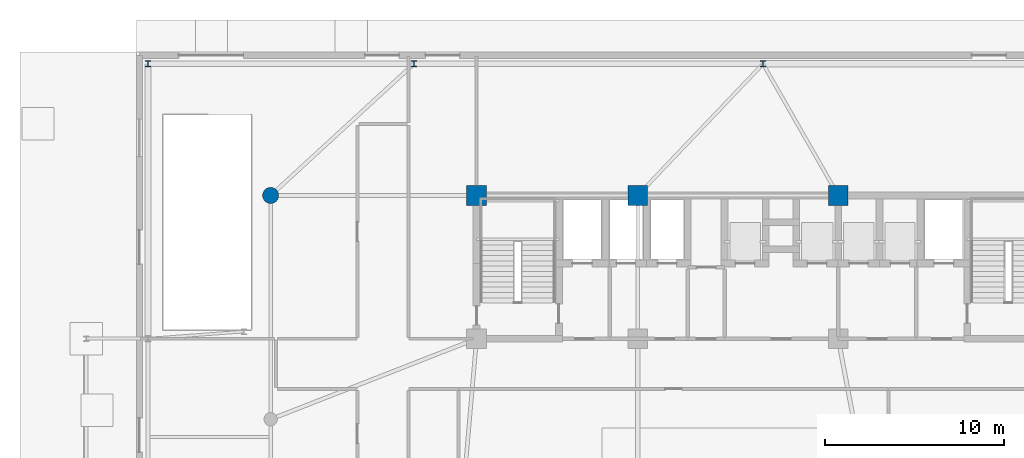
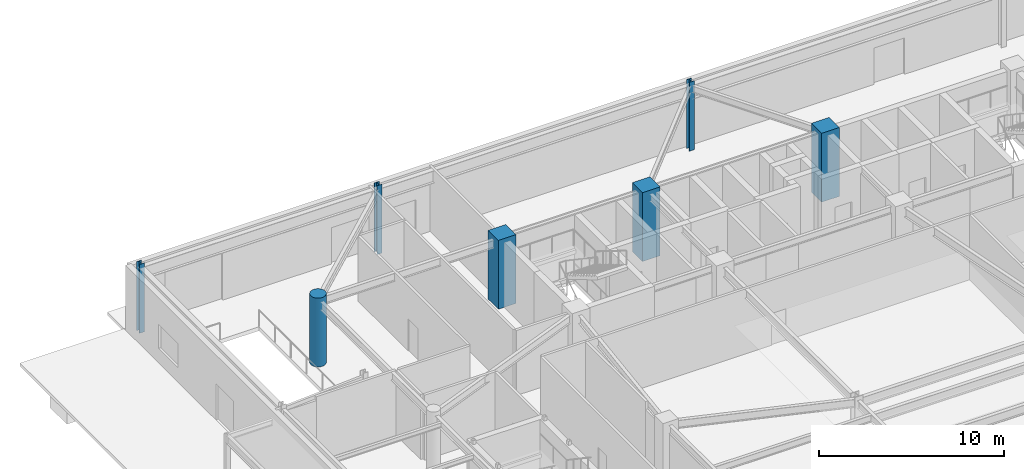
# One storey, part 5 of 29: 7 columns.
"""IFC4 building model written with IfcOpenShell, lengths in metres."""

from ifc_helpers import new_model, si_unit, direction, frame, origin, origin_2d, place, context, subcontext, project, spatial, rectangle, circle, i_section, extrude, source, transform, mapped, material, material_profile, profile_set, type_object, element, save


model = new_model("IFC4")

# Units and contexts
model_context = context("Model", 3, precision=1e-05, world=origin(), true_north=direction((0.0, 1.0)))
body_context = subcontext(model_context, "Body", "Model", "MODEL_VIEW")
ifc_project = project(units=[si_unit("LENGTHUNIT", "METRE"), si_unit("AREAUNIT", "SQUARE_METRE"), si_unit("VOLUMEUNIT", "CUBIC_METRE"), si_unit("PLANEANGLEUNIT", "RADIAN"), si_unit("MASSUNIT", "GRAM", prefix="KILO")], contexts=[model_context])

# Site, building, storey
site_placement = place(None, origin())
site = spatial("IfcSite", under=ifc_project, at=site_placement, CompositionType="ELEMENT")
building_placement = place(site_placement, origin())
building = spatial("IfcBuilding", under=site, at=building_placement, Name="Taldren Reach Tower", CompositionType="ELEMENT")
storey_placement = place(building_placement, origin())
storey = spatial("IfcBuildingStorey", under=building, at=storey_placement, Name="L00", CompositionType="ELEMENT", Elevation=0.0)

# Columns
ifc_material_1 = material(Name="Concrete S100 (100 MPa)", Category="concrete")
ifc_material_profile_1 = material_profile(ifc_material_1, rectangle(XDim=1.10009765625, YDim=1.10009765625, at=origin_2d()), Name="RC-1100x1100")
ifc_profile_set_1 = profile_set([ifc_material_profile_1], Name="Concrete S100 (100 MPa)")
column_type_1 = type_object("IfcColumnType", Name="COL-RC1100", PredefinedType="COLUMN", material=ifc_profile_set_1)
shared_shape_1 = source(origin(), body_context, "Body", "SweptSolid", [
    extrude(rectangle(XDim=1.10009765625, YDim=1.10009765625, at=origin_2d()), origin(), (0.0, 0.0, 1.0), 4.550048828125),
])
for number, where, z_axis, x_axis, name in (
    (1, (19.0, 32.0, 0.0), (0.0, 0.0, 1.0), (1.0, 0.0, 0.0), "Mega column MC-C5 L00"),
    (2, (28.0, 32.0, 0.0), (0.0, 0.0, 1.0), (1.0, 0.0, 0.0), "Mega column MC-C6 L00"),
    (3, (39.199951171875, 32.0, 0.0), (0.0, 0.0, 1.0), (1.0, 0.0, 0.0), "Mega column MC-C7 L00"),
):
    element("IfcColumn", number, at=place(storey_placement, frame(where, z_axis=z_axis, x_axis=x_axis)), inside=storey, type_object=column_type_1, Name=name, PredefinedType="COLUMN", context=body_context, shape_type="MappedRepresentation", body=[
        mapped(shared_shape_1, transform((0.0, 0.0, 0.0), scale=1.0)),
    ])
ifc_material_2 = material(Name="Concrete S80 (80 MPa)", Category="concrete")
ifc_material_profile_2 = material_profile(ifc_material_2, circle(Radius=0.449951171875, at=origin_2d()), Name="RC-900D")
ifc_profile_set_2 = profile_set([ifc_material_profile_2], Name="Concrete S80 (80 MPa)")
column_type_2 = type_object("IfcColumnType", Name="COL-RCD900", PredefinedType="COLUMN", material=ifc_profile_set_2)
shared_shape_2 = source(origin(), body_context, "Body", "SweptSolid", [
    extrude(circle(Radius=0.449951171875, at=origin_2d()), origin(), (0.0, 0.0, 1.0), 4.550048828125),
])
column_placement = place(storey_placement, frame((7.5, 32.0, 0.0), z_axis=(0.0, 0.0, 1.0), x_axis=(1.0, 0.0, 0.0)))
element("IfcColumn", 4, at=column_placement, inside=storey, type_object=column_type_2, Name="Podium structural column PG-3 L00", PredefinedType="COLUMN", context=body_context, shape_type="MappedRepresentation", body=[
    mapped(shared_shape_2, transform((0.0, 0.0, 0.0), scale=1.0)),
])
ifc_material_3 = material(Name="Steel Gr 350 (350PLUS)", Category="steel")
ifc_material_profile_3 = material_profile(ifc_material_3, i_section(OverallWidth=0.31103515625, OverallDepth=0.326904296875, WebThickness=0.015625, FlangeThickness=0.02490234375, at=origin_2d()), Name="310UC158")
ifc_profile_set_3 = profile_set([ifc_material_profile_3], Name="Steel Gr 350 (350PLUS)")
column_type_3 = type_object("IfcColumnType", Name="COL-UC310A", PredefinedType="COLUMN", material=ifc_profile_set_3)
shared_shape_3 = source(origin(), body_context, "Body", "SweptSolid", [
    extrude(i_section(OverallWidth=0.31103515625, OverallDepth=0.326904296875, WebThickness=0.015625, FlangeThickness=0.02490234375, at=origin_2d()), origin(), (0.0, 0.0, 1.0), 4.550048828125),
])
for number, where, z_axis, x_axis, name in (
    (5, (0.64990234375, 39.35009765625, 0.0), (0.0, 0.0, 1.0), (1.0, 0.0, 0.0), "Podium structural column PP-W4 L00"),
    (6, (15.5, 39.35009765625, 0.0), (0.0, 0.0, 1.0), (1.0, 0.0, 0.0), "Podium structural column PP-N1 L00"),
    (7, (35.0, 39.35009765625, 0.0), (0.0, 0.0, 1.0), (1.0, 0.0, 0.0), "Podium structural column PP-N2 L00"),
):
    element("IfcColumn", number, at=place(storey_placement, frame(where, z_axis=z_axis, x_axis=x_axis)), inside=storey, type_object=column_type_3, Name=name, PredefinedType="COLUMN", context=body_context, shape_type="MappedRepresentation", body=[
        mapped(shared_shape_3, transform((0.0, 0.0, 0.0), scale=1.0)),
    ])

save(model, "model.ifc")
